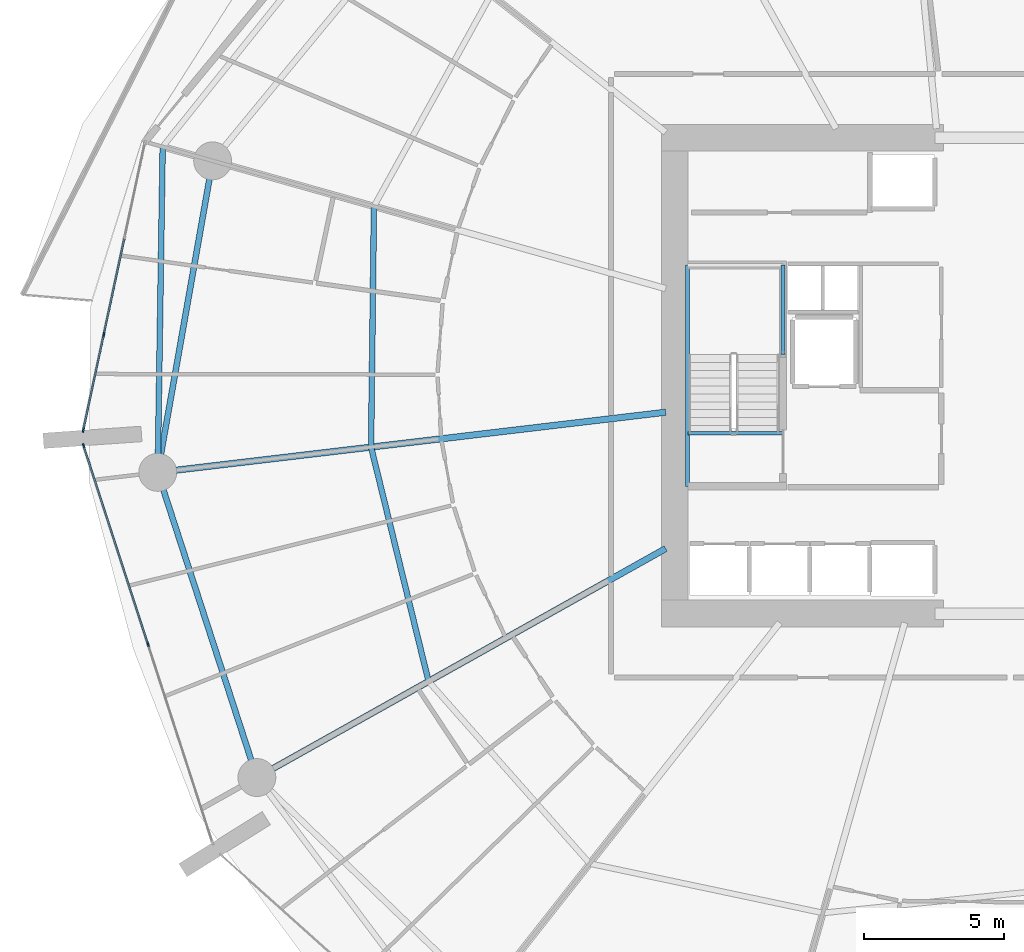
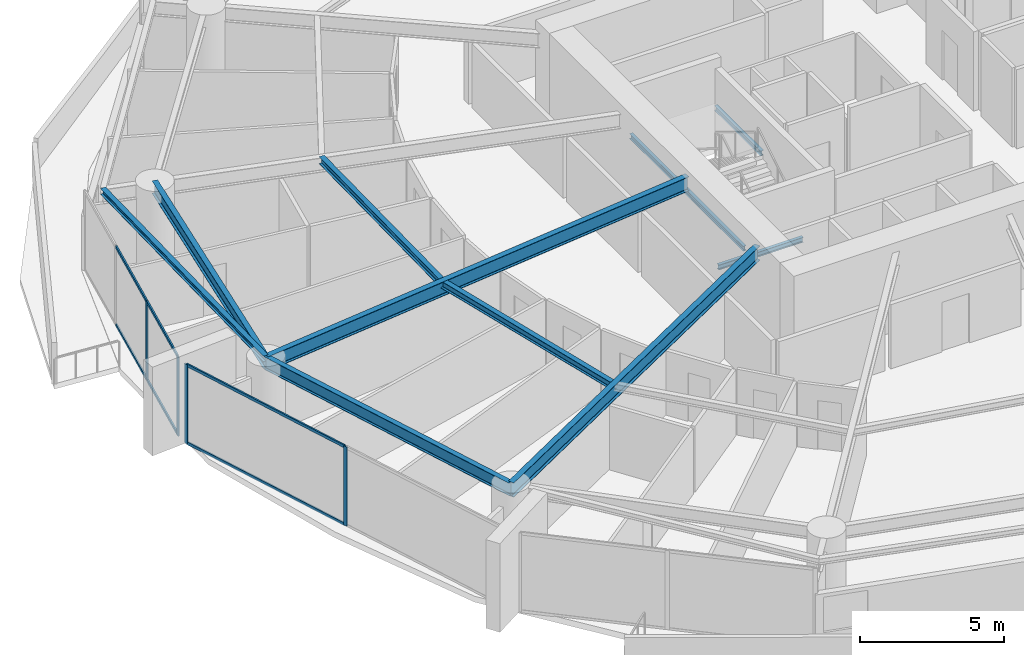
# One storey, part 8 of 31: 10 beams, 10 members, 2 elements without a shape of their own.
"""IFC4 building model written with IfcOpenShell, lengths in metres."""

from ifc_helpers import new_model, si_unit, direction, frame, origin, origin_2d, place, context, subcontext, project, spatial, rectangle, i_section, extrude, material, layer, layer_set, material_profile, profile_set, type_object, element, aggregate, save


model = new_model("IFC4")

# Units and contexts
model_context = context("Model", 3, precision=1e-05, world=origin(), true_north=direction((0.0, 1.0)))
body_context = subcontext(model_context, "Body", "Model", "MODEL_VIEW")
ifc_project = project(units=[si_unit("LENGTHUNIT", "METRE"), si_unit("AREAUNIT", "SQUARE_METRE"), si_unit("VOLUMEUNIT", "CUBIC_METRE"), si_unit("PLANEANGLEUNIT", "RADIAN"), si_unit("MASSUNIT", "GRAM", prefix="KILO")], contexts=[model_context])

# Site, building, storey
site_placement = place(None, origin())
site = spatial("IfcSite", under=ifc_project, at=site_placement, CompositionType="ELEMENT")
building_placement = place(site_placement, origin())
building = spatial("IfcBuilding", under=site, at=building_placement, Name="Kazma Halo Residences", CompositionType="ELEMENT")
storey_placement = place(building_placement, frame((0.0, 0.0, 67.64990234375)))
storey = spatial("IfcBuildingStorey", under=building, at=storey_placement, Name="L16", CompositionType="ELEMENT", Elevation=67.64990234375)

# Beams
ifc_material_1 = material(Name="Steel S355", Category="steel")
ifc_material_profile_1 = material_profile(ifc_material_1, i_section(OverallWidth=0.201904296875, OverallDepth=0.2470703125, WebThickness=0.00732421875, FlangeThickness=0.010986328125, FilletRadius=0.011962890625, at=origin_2d()), Name="W250x49.1")
ifc_profile_set_1 = profile_set([ifc_material_profile_1], Name="Steel S355")
beam_type_1 = type_object("IfcBeamType", Name="BM-BAL-CANT", PredefinedType="BEAM", material=ifc_profile_set_1)
beam_1_placement = place(storey_placement, frame((19.07861328125, 50.15673828125, 3.2265625), z_axis=(-0.015213846033, -0.999884262747, 0.0), x_axis=(0.999884262747, -0.015213846033, 0.0)))
element("IfcBeam", 1, at=beam_1_placement, inside=storey, type_object=beam_type_1, Name="L16 wave-balcony tie beam 07", PredefinedType="BEAM", context=body_context, shape_type="SweptSolid", body=[
    extrude(i_section(OverallWidth=0.201904296875, OverallDepth=0.2470703125, WebThickness=0.00732421875, FlangeThickness=0.010986328125, FilletRadius=0.011962890625, at=origin_2d()), origin(), (0.0, 0.0, 1.0), 11.602294921875),
])
ifc_material_profile_2 = material_profile(ifc_material_1, i_section(OverallWidth=0.22802734375, OverallDepth=0.60791015625, WebThickness=0.01123046875, FlangeThickness=0.017333984375, FilletRadius=0.01806640625, at=origin_2d()), Name="W610x113")
ifc_profile_set_2 = profile_set([ifc_material_profile_2], Name="Steel S355")
beam_type_2 = type_object("IfcBeamType", Name="BM-RAD-W610", PredefinedType="BEAM", material=ifc_profile_set_2)
beam_2_placement = place(storey_placement, frame((37.0, 40.697998046875, 3.046142578125), z_axis=(-0.993068058728, -0.117540762013, 0.0), x_axis=(0.117540762013, -0.993068058728, 0.0)))
element("IfcBeam", 2, at=beam_2_placement, inside=storey, type_object=beam_type_2, Name="L16 radial floor beam 08", PredefinedType="BEAM", context=body_context, shape_type="SweptSolid", body=[
    extrude(i_section(OverallWidth=0.22802734375, OverallDepth=0.60791015625, WebThickness=0.01123046875, FlangeThickness=0.017333984375, FilletRadius=0.01806640625, at=origin_2d()), origin(), (0.0, 0.0, 1.0), 18.22412109375),
])
beam_3_placement = place(storey_placement, frame((37.0, 35.839599609375, 3.046142578125), z_axis=(-0.872496538947, -0.488620291767, 0.0), x_axis=(0.488620291767, -0.872496538947, 0.0)))
element("IfcBeam", 3, at=beam_3_placement, inside=storey, type_object=beam_type_2, Name="L16 radial floor beam 09", PredefinedType="BEAM", context=body_context, shape_type="SweptSolid", body=[
    extrude(i_section(OverallWidth=0.22802734375, OverallDepth=0.60791015625, WebThickness=0.01123046875, FlangeThickness=0.017333984375, FilletRadius=0.01806640625, at=origin_2d()), origin(), (0.0, 0.0, 1.0), 16.693359375),
])
ifc_material_profile_3 = material_profile(ifc_material_1, i_section(OverallWidth=0.202880859375, OverallDepth=0.302978515625, WebThickness=0.007568359375, FlangeThickness=0.01318359375, FilletRadius=0.013916015625, at=origin_2d()), Name="W310x60")
ifc_profile_set_3 = profile_set([ifc_material_profile_3], Name="Steel S355")
beam_type_3 = type_object("IfcBeamType", Name="BM-SEC-W310A", PredefinedType="JOIST", material=ifc_profile_set_3)
beam_4_placement = place(storey_placement, frame((26.605712890625, 48.033935546875, 3.198486328125), z_axis=(-0.011952697998, -0.999928563954, 0.0), x_axis=(0.999928563954, -0.011952697998, 0.0)))
element("IfcBeam", 4, at=beam_4_placement, inside=storey, type_object=beam_type_3, Name="L16 circumferential floor joist 07", PredefinedType="JOIST", context=body_context, shape_type="SweptSolid", body=[
    extrude(i_section(OverallWidth=0.202880859375, OverallDepth=0.302978515625, WebThickness=0.007568359375, FlangeThickness=0.01318359375, FilletRadius=0.013916015625, at=origin_2d()), origin(), (0.0, 0.0, 1.0), 8.578857421875),
])
beam_5_placement = place(storey_placement, frame((26.503173828125, 39.455810546875, 3.198486328125), z_axis=(0.238409585139, -0.971164697523, 0.0), x_axis=(0.971164697523, 0.238409585139, 0.0)))
element("IfcBeam", 5, at=beam_5_placement, inside=storey, type_object=beam_type_3, Name="L16 circumferential floor joist 08", PredefinedType="JOIST", context=body_context, shape_type="SweptSolid", body=[
    extrude(i_section(OverallWidth=0.202880859375, OverallDepth=0.302978515625, WebThickness=0.007568359375, FlangeThickness=0.01318359375, FilletRadius=0.013916015625, at=origin_2d()), origin(), (0.0, 0.0, 1.0), 8.5947265625),
])
ifc_material_profile_4 = material_profile(ifc_material_1, i_section(OverallWidth=0.208984375, OverallDepth=0.532958984375, WebThickness=0.01025390625, FlangeThickness=0.015625, FilletRadius=0.01611328125, at=origin_2d()), Name="W530x92")
ifc_profile_set_4 = profile_set([ifc_material_profile_4], Name="Steel S355")
beam_type_4 = type_object("IfcBeamType", Name="BM-SPN-W530", PredefinedType="BEAM", material=ifc_profile_set_4)
beam_6_placement = place(storey_placement, frame((20.859130859375, 49.654541015625, 3.08349609375), z_axis=(-0.173651864005, -0.984807103004, 0.0), x_axis=(0.984807103004, -0.173651864005, 0.0)))
element("IfcBeam", 6, at=beam_6_placement, inside=storey, type_object=beam_type_4, Name="L16 perimeter ring beam 07", PredefinedType="BEAM", context=body_context, shape_type="SweptSolid", body=[
    extrude(i_section(OverallWidth=0.208984375, OverallDepth=0.532958984375, WebThickness=0.01025390625, FlangeThickness=0.015625, FilletRadius=0.01611328125, at=origin_2d()), origin(), (0.0, 0.0, 1.0), 11.269775390625),
])
beam_7_placement = place(storey_placement, frame((18.902099609375, 38.555908203125, 3.08349609375), z_axis=(0.309024264898, -0.951054153928, 0.0), x_axis=(0.951054153928, 0.309024264898, 0.0)))
element("IfcBeam", 7, at=beam_7_placement, inside=storey, type_object=beam_type_4, Name="L16 perimeter ring beam 08", PredefinedType="BEAM", context=body_context, shape_type="SweptSolid", body=[
    extrude(i_section(OverallWidth=0.208984375, OverallDepth=0.532958984375, WebThickness=0.01025390625, FlangeThickness=0.015625, FilletRadius=0.01611328125, at=origin_2d()), origin(), (0.0, 0.0, 1.0), 11.4326171875),
])
ifc_material_profile_5 = material_profile(ifc_material_1, i_section(OverallWidth=0.133056640625, OverallDepth=0.20703125, WebThickness=0.005859375, FlangeThickness=0.00830078125, FilletRadius=0.010009765625, at=origin_2d()), Name="W200x26.6")
ifc_profile_set_5 = profile_set([ifc_material_profile_5], Name="Steel S355")
beam_type_5 = type_object("IfcBeamType", Name="BM-TRIM-W200", PredefinedType="BEAM", material=ifc_profile_set_5)
beam_8_placement = place(storey_placement, frame((37.800048828125, 39.949951171875, -0.35986328125), z_axis=(1.0, 0.0, 0.0), x_axis=(0.0, 1.0, 0.0)))
element("IfcBeam", 8, at=beam_8_placement, inside=storey, type_object=beam_type_5, Name="L16 ST-01 floor landing support beam", PredefinedType="BEAM", context=body_context, shape_type="SweptSolid", body=[
    extrude(i_section(OverallWidth=0.133056640625, OverallDepth=0.20703125, WebThickness=0.005859375, FlangeThickness=0.00830078125, FilletRadius=0.010009765625, at=origin_2d()), origin(), (0.0, 0.0, 1.0), 3.3798828125),
])
beam_9_placement = place(storey_placement, frame((37.780029296875, 38.06005859375, 1.570068359375), z_axis=(0.0, 1.0, 0.0), x_axis=(-1.0, 0.0, 0.0)))
element("IfcBeam", 9, at=beam_9_placement, inside=storey, type_object=beam_type_5, Name="L16 ST-01 landing west wall ledger", PredefinedType="BEAM", context=body_context, shape_type="SweptSolid", body=[
    extrude(i_section(OverallWidth=0.133056640625, OverallDepth=0.20703125, WebThickness=0.005859375, FlangeThickness=0.00830078125, FilletRadius=0.010009765625, at=origin_2d()), origin(), (0.0, 0.0, 1.0), 7.8798828125),
])
beam_10_placement = place(storey_placement, frame((41.179931640625, 42.75, 1.570068359375), z_axis=(0.0, 1.0, 0.0), x_axis=(-1.0, 0.0, 0.0)))
element("IfcBeam", 10, at=beam_10_placement, inside=storey, type_object=beam_type_5, Name="L16 ST-01 landing east wall ledger", PredefinedType="BEAM", context=body_context, shape_type="SweptSolid", body=[
    extrude(i_section(OverallWidth=0.133056640625, OverallDepth=0.20703125, WebThickness=0.005859375, FlangeThickness=0.00830078125, FilletRadius=0.010009765625, at=origin_2d()), origin(), (0.0, 0.0, 1.0), 3.18994140625),
])

# Curtain wall, members
ifc_material_2 = material(Name="Aluminium AW-6063 T6 and Triple-Silver Low-E Glass", Category="aluminium")
ifc_layer = layer(ifc_material_2, 0.159912109375)
ifc_layer_set = layer_set([ifc_layer], Name="Aluminium AW-6063 T6 and Triple-Silver Low-E Glass")
curtain_wall_type = type_object("IfcCurtainWallType", Name="CW-SYS-2", PredefinedType="NOTDEFINED", material=ifc_layer_set)
curtain_wall_1_placement = place(storey_placement, origin())
curtain_wall_1 = element("IfcCurtainWall", 11, at=curtain_wall_1_placement, inside=storey, type_object=curtain_wall_type, Name="L16 unitised curtain wall B07", PredefinedType="NOTDEFINED")
ifc_material_3 = material(Name="Aluminium AW-6063 T6", Category="aluminium")
ifc_material_profile_6 = material_profile(ifc_material_3, rectangle(XDim=0.06005859375, YDim=0.159912109375, at=origin_2d()), Name="CWM-60x160")
ifc_profile_set_6 = profile_set([ifc_material_profile_6], Name="Aluminium AW-6063 T6")
member_type_1 = type_object("IfcMemberType", Name="CW-SYS-2-MUL", PredefinedType="MULLION", material=ifc_profile_set_6)
member_1_placement = place(storey_placement, frame((16.980712890625, 43.46435546875, 0.0), z_axis=(0.0, 0.0, 1.0), x_axis=(0.977779215096, -0.209637321406, 0.0)))
member_1 = element("IfcMember", 12, at=member_1_placement, type_object=member_type_1, Name="CWS-2 mullion 3", PredefinedType="MULLION", context=body_context, shape_type="SweptSolid", body=[
    extrude(rectangle(XDim=0.06005859375, YDim=0.159912109375, at=origin_2d()), origin(), (0.0, 0.0, 1.0), 3.35009765625),
])
member_2_placement = place(storey_placement, frame((16.25048828125, 40.059326171875, 0.0), z_axis=(0.0, 0.0, 1.0), x_axis=(0.977779215096, -0.209637321406, 0.0)))
member_2 = element("IfcMember", 13, at=member_2_placement, type_object=member_type_1, Name="CWS-2 mullion 4", PredefinedType="MULLION", context=body_context, shape_type="SweptSolid", body=[
    extrude(rectangle(XDim=0.06005859375, YDim=0.159912109375, at=origin_2d()), origin(), (0.0, 0.0, 1.0), 3.35009765625),
])

curtain_wall_2_placement = place(storey_placement, origin())
curtain_wall_2 = element("IfcCurtainWall", 14, at=curtain_wall_2_placement, inside=storey, type_object=curtain_wall_type, Name="L16 unitised curtain wall B08", PredefinedType="NOTDEFINED")
member_3_placement = place(storey_placement, frame((16.26171875, 39.500732421875, 0.0), z_axis=(0.0, 0.0, 1.0), x_axis=(0.95105652404, 0.309016970539, 0.0)))
member_3 = element("IfcMember", 15, at=member_3_placement, type_object=member_type_1, Name="CWS-2 mullion 1", PredefinedType="MULLION", context=body_context, shape_type="SweptSolid", body=[
    extrude(rectangle(XDim=0.06005859375, YDim=0.159912109375, at=origin_2d()), origin(), (0.0, 0.0, 1.0), 3.35009765625),
])
member_4_placement = place(storey_placement, frame((18.55810546875, 32.43359375, 0.0), z_axis=(0.0, 0.0, 1.0), x_axis=(0.95105652404, 0.309016970539, 0.0)))
member_4 = element("IfcMember", 16, at=member_4_placement, type_object=member_type_1, Name="CWS-2 mullion 2", PredefinedType="MULLION", context=body_context, shape_type="SweptSolid", body=[
    extrude(rectangle(XDim=0.06005859375, YDim=0.159912109375, at=origin_2d()), origin(), (0.0, 0.0, 1.0), 3.35009765625),
])

# Member
ifc_material_profile_7 = material_profile(ifc_material_3, rectangle(XDim=0.06005859375, YDim=0.1201171875, at=origin_2d()), Name="CWT-60x120")
ifc_profile_set_7 = profile_set([ifc_material_profile_7], Name="Aluminium AW-6063 T6")
member_type_2 = type_object("IfcMemberType", Name="CW-SYS-2-TRN", PredefinedType="USERDEFINED", material=ifc_profile_set_7)
member_5_placement = place(storey_placement, frame((17.710693359375, 46.869384765625, 0.030029296875), z_axis=(-0.209669136217, -0.977772393412, 0.0), x_axis=(0.977772393412, -0.209669136217, 0.0)))
member_5 = element("IfcMember", 17, at=member_5_placement, type_object=member_type_2, Name="CWS-2 transom 2.1", ObjectType="TRANSOM", PredefinedType="USERDEFINED", context=body_context, shape_type="SweptSolid", body=[
    extrude(rectangle(XDim=0.06005859375, YDim=0.1201171875, at=origin_2d()), origin(), (0.0, 0.0, 1.0), 3.452392578125),
])

member_6_placement = place(storey_placement, frame((17.710693359375, 46.869384765625, 3.320068359375), z_axis=(-0.209669136217, -0.977772393412, 0.0), x_axis=(0.977772393412, -0.209669136217, 0.0)))
member_6 = element("IfcMember", 18, at=member_6_placement, type_object=member_type_2, Name="CWS-2 transom 2.2", ObjectType="TRANSOM", PredefinedType="USERDEFINED", context=body_context, shape_type="SweptSolid", body=[
    extrude(rectangle(XDim=0.06005859375, YDim=0.1201171875, at=origin_2d()), origin(), (0.0, 0.0, 1.0), 3.452392578125),
])

member_7_placement = place(storey_placement, frame((16.974365234375, 43.434814453125, 0.030029296875), z_axis=(-0.209665500897, -0.977773172946, 0.0), x_axis=(0.977773172946, -0.209665500897, 0.0)))
member_7 = element("IfcMember", 19, at=member_7_placement, type_object=member_type_2, Name="CWS-2 transom 3.1", ObjectType="TRANSOM", PredefinedType="USERDEFINED", context=body_context, shape_type="SweptSolid", body=[
    extrude(rectangle(XDim=0.06005859375, YDim=0.1201171875, at=origin_2d()), origin(), (0.0, 0.0, 1.0), 3.42236328125),
])

member_8_placement = place(storey_placement, frame((16.974365234375, 43.434814453125, 3.320068359375), z_axis=(-0.209665500897, -0.977773172946, 0.0), x_axis=(0.977773172946, -0.209665500897, 0.0)))
member_8 = element("IfcMember", 20, at=member_8_placement, type_object=member_type_2, Name="CWS-2 transom 3.2", ObjectType="TRANSOM", PredefinedType="USERDEFINED", context=body_context, shape_type="SweptSolid", body=[
    extrude(rectangle(XDim=0.06005859375, YDim=0.1201171875, at=origin_2d()), origin(), (0.0, 0.0, 1.0), 3.42236328125),
])

aggregate(curtain_wall_1, [member_1, member_2, member_5, member_6, member_7, member_8])

member_9_placement = place(storey_placement, frame((16.27099609375, 39.47216796875, 0.030029296875), z_axis=(0.309034393795, -0.951050862705, 0.0), x_axis=(0.951050862705, 0.309034393795, 0.0)))
member_9 = element("IfcMember", 21, at=member_9_placement, type_object=member_type_2, Name="CWS-2 transom 1.1", ObjectType="TRANSOM", PredefinedType="USERDEFINED", context=body_context, shape_type="SweptSolid", body=[
    extrude(rectangle(XDim=0.06005859375, YDim=0.1201171875, at=origin_2d()), origin(), (0.0, 0.0, 1.0), 7.370849609375),
])

member_10_placement = place(storey_placement, frame((16.27099609375, 39.47216796875, 3.320068359375), z_axis=(0.309034393795, -0.951050862705, 0.0), x_axis=(0.951050862705, 0.309034393795, 0.0)))
member_10 = element("IfcMember", 22, at=member_10_placement, type_object=member_type_2, Name="CWS-2 transom 1.2", ObjectType="TRANSOM", PredefinedType="USERDEFINED", context=body_context, shape_type="SweptSolid", body=[
    extrude(rectangle(XDim=0.06005859375, YDim=0.1201171875, at=origin_2d()), origin(), (0.0, 0.0, 1.0), 7.370849609375),
])

aggregate(curtain_wall_2, [member_3, member_4, member_9, member_10])

save(model, "model.ifc")
